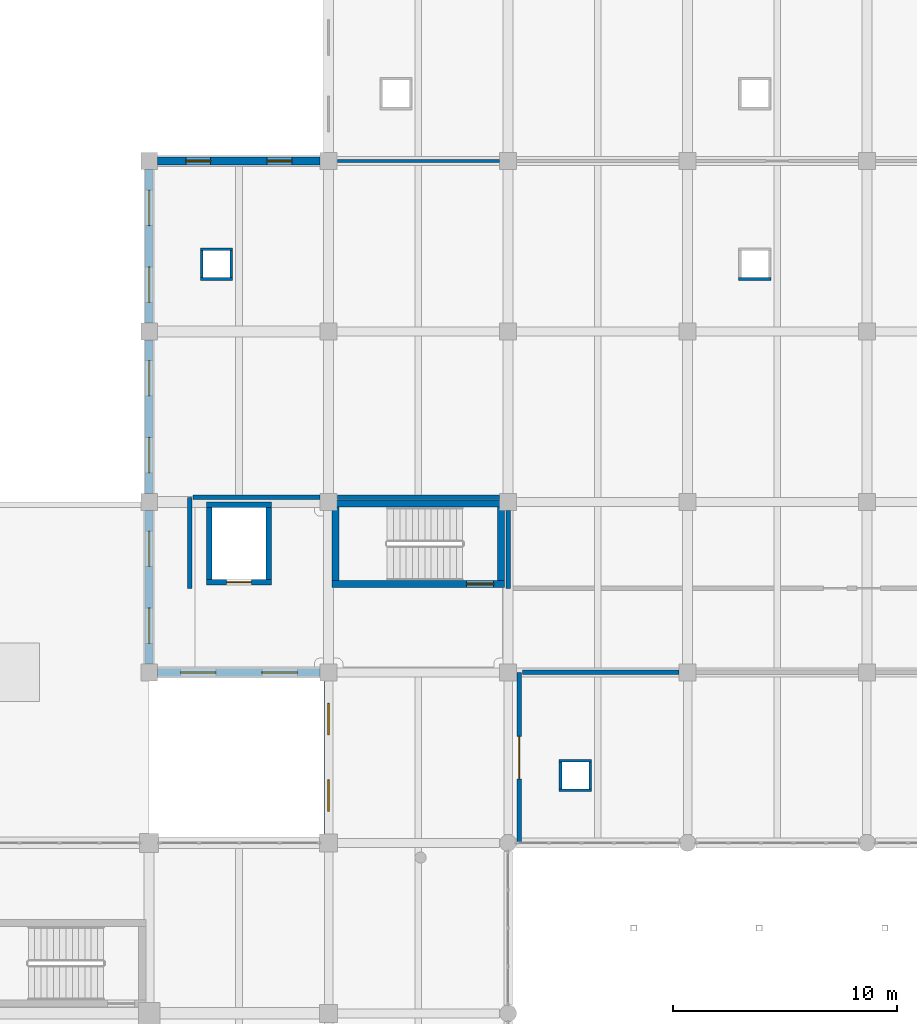
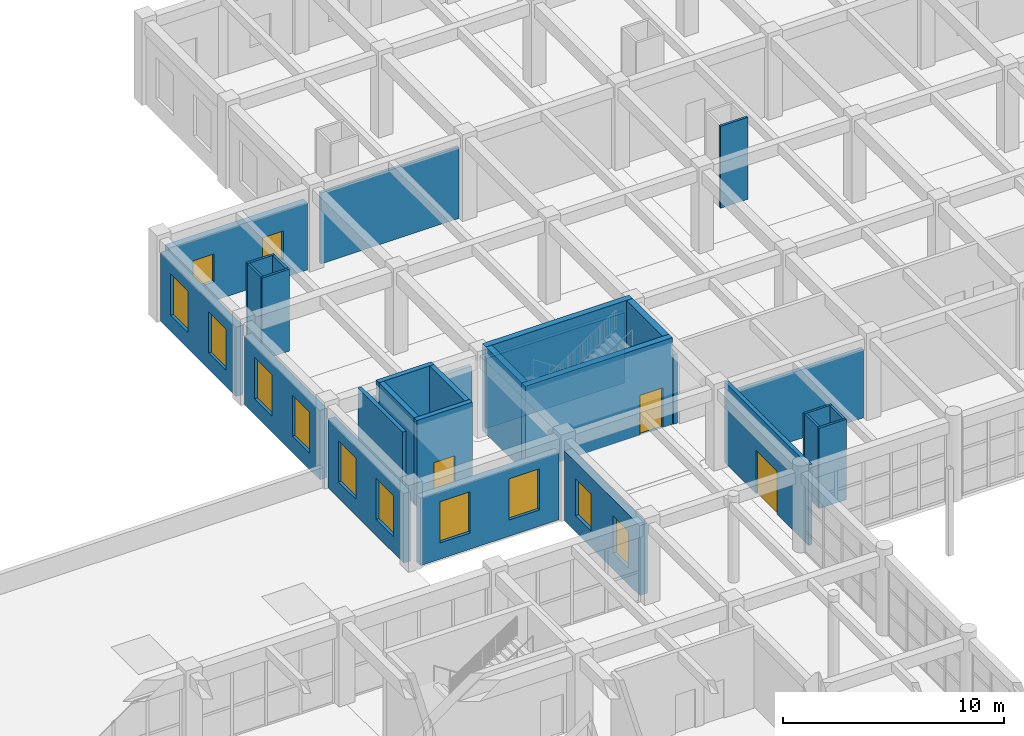
# One storey, part 79 of 101: 30 walls, 12 windows, 3 doors, 15 openings.
"""IFC4 building model written with IfcOpenShell, lengths in metres."""

from ifc_helpers import new_model, si_unit, direction, frame, frame_2d, origin, place, context, subcontext, project, spatial, rectangle, extrude, material, layer, layer_set, type_object, element, fill, save


model = new_model("IFC4")

# Units and contexts
model_context = context("Model", 3, precision=1e-05, world=origin(), true_north=direction((0.0, 1.0)))
body_context = subcontext(model_context, "Body", "Model", "MODEL_VIEW")
ifc_project = project(units=[si_unit("LENGTHUNIT", "METRE"), si_unit("AREAUNIT", "SQUARE_METRE"), si_unit("VOLUMEUNIT", "CUBIC_METRE"), si_unit("PLANEANGLEUNIT", "RADIAN"), si_unit("MASSUNIT", "GRAM", prefix="KILO")], contexts=[model_context])

# Site, building, storey
site_placement = place(None, origin())
site = spatial("IfcSite", under=ifc_project, at=site_placement, CompositionType="ELEMENT")
building_placement = place(site_placement, origin())
building = spatial("IfcBuilding", under=site, at=building_placement, Name="Zantavel Square City Hall", CompositionType="ELEMENT")
storey_placement = place(building_placement, frame((0.0, 0.0, 5.39990234375)))
storey = spatial("IfcBuildingStorey", under=building, at=storey_placement, Name="L02", CompositionType="ELEMENT", Elevation=5.39990234375)

# Wall, openings, windows
ifc_material_1 = material(Name="Cantera volcanic tuff stone", Category="masonry")
ifc_layer_1 = layer(ifc_material_1, 0.39990234375, Name="Cantera volcanic tuff stone")
ifc_layer_set_1 = layer_set([ifc_layer_1], Name="Cantera volcanic tuff stone")
wall_type_1 = type_object("IfcWallType", Name="Civic Pavilion Cantera Ashlar Wall 400mm", PredefinedType="STANDARD", material=ifc_layer_set_1)
wall_1_placement = place(storey_placement, frame((112.0, 68.800048828125, 0.0), z_axis=(0.0, 0.0, 1.0), x_axis=(0.0, 1.0, 0.0)))
wall_1 = element("IfcWall", 1, at=wall_1_placement, inside=storey, type_object=wall_type_1, Name="L02 Exterior Wall EW-L02-030", PredefinedType="STANDARD", context=body_context, shape_type="SweptSolid", body=[
    extrude(rectangle(XDim=6.824951171875, YDim=0.39990234375, at=frame_2d((3.41259765625, 0.0))), origin(), (0.0, 0.0, 1.0), 3.8701171875),
])
opening_1_placement = place(wall_1_placement, frame((1.00634765625, 0.0, 0.89990234375)))
opening_1 = element("IfcOpeningElement", 2, at=opening_1_placement, cuts=wall_1, Name="Opening W-187", PredefinedType="OPENING", context=body_context, shape_type="SweptSolid", body=[
    extrude(rectangle(XDim=1.39990234375, YDim=2.050048828125, at=frame_2d((0.699951171875, 1.02490234375))), frame((0.0, 0.2099609375, 0.0), z_axis=(0.0, -1.0, 0.0), x_axis=(1.0, 0.0, 0.0)), (0.0, 0.0, 1.0), 0.419921875),
])
opening_2_placement = place(wall_1_placement, frame((4.418701171875, 0.0, 0.89990234375)))
opening_2 = element("IfcOpeningElement", 3, at=opening_2_placement, cuts=wall_1, Name="Opening W-188", PredefinedType="OPENING", context=body_context, shape_type="SweptSolid", body=[
    extrude(rectangle(XDim=1.39990234375, YDim=2.050048828125, at=frame_2d((0.699951171875, 1.02490234375))), frame((0.0, 0.2099609375, 0.0), z_axis=(0.0, -1.0, 0.0), x_axis=(1.0, 0.0, 0.0)), (0.0, 0.0, 1.0), 0.419921875),
])
ifc_material_2 = material(Name="Tempered safety glass low-E double glazing", Category="glass")
window_type_1 = type_object("IfcWindowType", Name="Window Mezzanine Courtyard 1400x2050", PartitioningType="DOUBLE_PANEL_VERTICAL", PredefinedType="WINDOW", material=ifc_material_2)
window_1_placement = place(opening_1_placement, origin())
window_1 = element("IfcWindow", 4, at=window_1_placement, inside=storey, type_object=window_type_1, Name="L02 Window W-187", OverallHeight=2.050048828125, OverallWidth=1.39990234375, PartitioningType="DOUBLE_PANEL_VERTICAL", PredefinedType="WINDOW", context=body_context, shape_type="SweptSolid", body=[
    extrude(rectangle(XDim=1.39990234375, YDim=2.050048828125, at=frame_2d((0.699951171875, 1.02490234375))), frame((0.0, 0.030029296875, 0.0), z_axis=(0.0, -1.0, 0.0), x_axis=(1.0, 0.0, 0.0)), (0.0, 0.0, 1.0), 0.06005859375),
])
fill(opening_1, window_1)
window_2_placement = place(opening_2_placement, origin())
window_2 = element("IfcWindow", 5, at=window_2_placement, inside=storey, type_object=window_type_1, Name="L02 Window W-188", OverallHeight=2.050048828125, OverallWidth=1.39990234375, PartitioningType="DOUBLE_PANEL_VERTICAL", PredefinedType="WINDOW", context=body_context, shape_type="SweptSolid", body=[
    extrude(rectangle(XDim=1.39990234375, YDim=2.050048828125, at=frame_2d((0.699951171875, 1.02490234375))), frame((0.0, 0.030029296875, 0.0), z_axis=(0.0, -1.0, 0.0), x_axis=(1.0, 0.0, 0.0)), (0.0, 0.0, 1.0), 0.06005859375),
])
fill(opening_2, window_2)

# Wall, opening, door
ifc_material_3 = material(Name="Concrete C40/50", Category="concrete")
ifc_layer_2 = layer(ifc_material_3, 0.320068359375, Name="Concrete C40/50")
ifc_layer_set_2 = layer_set([ifc_layer_2], Name="Concrete C40/50")
wall_type_2 = type_object("IfcWallType", Name="Core Shear Wall RC 320mm C40/50", PredefinedType="SHEAR", material=ifc_layer_set_2)
wall_2_placement = place(storey_placement, frame((119.85009765625, 79.93994140625, 0.0), z_axis=(0.0, 0.0, 1.0), x_axis=(-1.0, 0.0, 0.0)))
wall_2 = element("IfcWall", 6, at=wall_2_placement, inside=storey, type_object=wall_type_2, Name="L02 Exit Stair 2 North-East Core Shear Wall South", PredefinedType="SHEAR", context=body_context, shape_type="SweptSolid", body=[
    extrude(rectangle(XDim=7.7001953125, YDim=0.320068359375, at=frame_2d((3.85009765625, 0.0))), origin(), (0.0, 0.0, 1.0), 4.800048828125),
])
opening_3_placement = place(wall_2_placement, frame((0.5, 0.0, 0.0)))
opening_3 = element("IfcOpeningElement", 7, at=opening_3_placement, cuts=wall_2, Name="Opening SD-009", PredefinedType="OPENING", context=body_context, shape_type="SweptSolid", body=[
    extrude(rectangle(XDim=1.199951171875, YDim=2.199951171875, at=frame_2d((0.60009765625, 1.10009765625))), frame((0.0, 0.169921875, 0.0), z_axis=(0.0, -1.0, 0.0), x_axis=(1.0, 0.0, 0.0)), (0.0, 0.0, 1.0), 0.340087890625),
])
ifc_material_4 = material(Name="Steel ASTM A500 Grade B", Category="steel")
door_type_1 = type_object("IfcDoorType", Name="Enclosed Exit Stairwell Fire Door 1200x2200 FD90S", OperationType="NOTDEFINED", PredefinedType="DOOR", material=ifc_material_4)
door_1_placement = place(opening_3_placement, origin())
door_1 = element("IfcDoor", 8, at=door_1_placement, inside=storey, type_object=door_type_1, Name="L02 Exit Stair 2 North-East Core Fire Door", OperationType="SINGLE_SWING_LEFT", OverallHeight=2.199951171875, OverallWidth=1.199951171875, PredefinedType="DOOR", context=body_context, shape_type="SweptSolid", body=[
    extrude(rectangle(XDim=1.199951171875, YDim=2.199951171875, at=frame_2d((0.60009765625, 1.10009765625))), frame((0.0, 0.02490234375, 0.0), z_axis=(0.0, -1.0, 0.0), x_axis=(1.0, 0.0, 0.0)), (0.0, 0.0, 1.0), 0.050048828125),
])
fill(opening_3, door_1)

# Walls
wall_3_placement = place(storey_placement, frame((112.31005859375, 80.10009765625, 0.0), z_axis=(0.0, 0.0, 1.0), x_axis=(0.0, 1.0, 0.0)))
element("IfcWall", 9, at=wall_3_placement, inside=storey, type_object=wall_type_2, Name="L02 Exit Stair 2 North-East Core Shear Wall West", PredefinedType="SHEAR", context=body_context, shape_type="SweptSolid", body=[
    extrude(rectangle(XDim=3.27001953125, YDim=0.320068359375, at=frame_2d((1.635009765625, 0.0))), origin(), (0.0, 0.0, 1.0), 4.800048828125),
])
wall_4_placement = place(storey_placement, frame((112.14990234375, 83.530029296875, 0.0), z_axis=(0.0, 0.0, 1.0), x_axis=(1.0, 0.0, 0.0)))
element("IfcWall", 10, at=wall_4_placement, inside=storey, type_object=wall_type_2, Name="L02 Exit Stair 2 North-East Core Shear Wall North", PredefinedType="SHEAR", context=body_context, shape_type="SweptSolid", body=[
    extrude(rectangle(XDim=7.7001953125, YDim=0.320068359375, at=frame_2d((3.85009765625, 0.0))), origin(), (0.0, 0.0, 1.0), 4.800048828125),
])
wall_5_placement = place(storey_placement, frame((119.68994140625, 83.3701171875, 0.0), z_axis=(0.0, 0.0, 1.0), x_axis=(0.0, -1.0, 0.0)))
element("IfcWall", 11, at=wall_5_placement, inside=storey, type_object=wall_type_2, Name="L02 Exit Stair 2 North-East Core Shear Wall East", PredefinedType="SHEAR", context=body_context, shape_type="SweptSolid", body=[
    extrude(rectangle(XDim=3.27001953125, YDim=0.320068359375, at=frame_2d((1.635009765625, 0.0))), origin(), (0.0, 0.0, 1.0), 4.800048828125),
])

# Wall, openings, windows
ifc_layer_3 = layer(ifc_material_1, 0.360107421875, Name="Cantera volcanic tuff stone")
ifc_layer_set_3 = layer_set([ifc_layer_3], Name="Cantera volcanic tuff stone")
wall_type_3 = type_object("IfcWallType", Name="Courtyard Cantera Facade Wall 360mm", PredefinedType="STANDARD", material=ifc_layer_set_3)
wall_6_placement = place(storey_placement, frame((111.625, 76.0, 0.0), z_axis=(0.0, 0.0, 1.0), x_axis=(-1.0, 0.0, 0.0)))
wall_6 = element("IfcWall", 12, at=wall_6_placement, inside=storey, type_object=wall_type_3, Name="L02 Exterior Wall EW-L02-031", PredefinedType="STANDARD", context=body_context, shape_type="SweptSolid", body=[
    extrude(rectangle(XDim=7.25, YDim=0.360107421875, at=frame_2d((3.625, 0.0))), origin(), (0.0, 0.0, 1.0), 3.739990234375),
])
opening_4_placement = place(wall_6_placement, frame((1.0224609375, 0.0, 0.89990234375)))
opening_4 = element("IfcOpeningElement", 13, at=opening_4_placement, cuts=wall_6, Name="Opening W-189", PredefinedType="OPENING", context=body_context, shape_type="SweptSolid", body=[
    extrude(rectangle(XDim=1.580078125, YDim=2.280029296875, at=frame_2d((0.7900390625, 1.14013671875))), frame((0.0, 0.18994140625, 0.0), z_axis=(0.0, -1.0, 0.0), x_axis=(1.0, 0.0, 0.0)), (0.0, 0.0, 1.0), 0.380126953125),
])
opening_5_placement = place(wall_6_placement, frame((4.6474609375, 0.0, 0.89990234375)))
opening_5 = element("IfcOpeningElement", 14, at=opening_5_placement, cuts=wall_6, Name="Opening W-190", PredefinedType="OPENING", context=body_context, shape_type="SweptSolid", body=[
    extrude(rectangle(XDim=1.580078125, YDim=2.280029296875, at=frame_2d((0.7900390625, 1.14013671875))), frame((0.0, 0.18994140625, 0.0), z_axis=(0.0, -1.0, 0.0), x_axis=(1.0, 0.0, 0.0)), (0.0, 0.0, 1.0), 0.380126953125),
])
window_type_2 = type_object("IfcWindowType", Name="Window Treasury Tall 1580x2280", PartitioningType="DOUBLE_PANEL_VERTICAL", PredefinedType="WINDOW", material=ifc_material_2)
window_3_placement = place(opening_4_placement, origin())
window_3 = element("IfcWindow", 15, at=window_3_placement, inside=storey, type_object=window_type_2, Name="L02 Window W-189", OverallHeight=2.280029296875, OverallWidth=1.580078125, PartitioningType="DOUBLE_PANEL_VERTICAL", PredefinedType="WINDOW", context=body_context, shape_type="SweptSolid", body=[
    extrude(rectangle(XDim=1.580078125, YDim=2.280029296875, at=frame_2d((0.7900390625, 1.14013671875))), frame((0.0, 0.030029296875, 0.0), z_axis=(0.0, -1.0, 0.0), x_axis=(1.0, 0.0, 0.0)), (0.0, 0.0, 1.0), 0.06005859375),
])
fill(opening_4, window_3)
window_4_placement = place(opening_5_placement, origin())
window_4 = element("IfcWindow", 16, at=window_4_placement, inside=storey, type_object=window_type_2, Name="L02 Window W-190", OverallHeight=2.280029296875, OverallWidth=1.580078125, PartitioningType="DOUBLE_PANEL_VERTICAL", PredefinedType="WINDOW", context=body_context, shape_type="SweptSolid", body=[
    extrude(rectangle(XDim=1.580078125, YDim=2.280029296875, at=frame_2d((0.7900390625, 1.14013671875))), frame((0.0, 0.030029296875, 0.0), z_axis=(0.0, -1.0, 0.0), x_axis=(1.0, 0.0, 0.0)), (0.0, 0.0, 1.0), 0.06005859375),
])
fill(opening_5, window_4)

wall_7_placement = place(storey_placement, frame((104.0, 76.375, 0.0), z_axis=(0.0, 0.0, 1.0), x_axis=(0.0, 1.0, 0.0)))
wall_7 = element("IfcWall", 17, at=wall_7_placement, inside=storey, type_object=wall_type_3, Name="L02 Exterior Wall EW-L02-032", PredefinedType="STANDARD", context=body_context, shape_type="SweptSolid", body=[
    extrude(rectangle(XDim=6.85009765625, YDim=0.360107421875, at=frame_2d((3.425048828125, 0.0))), origin(), (0.0, 0.0, 1.0), 3.840087890625),
])
opening_6_placement = place(wall_7_placement, frame((0.922607421875, 0.0, 0.89990234375)))
opening_6 = element("IfcOpeningElement", 18, at=opening_6_placement, cuts=wall_7, Name="Opening W-191", PredefinedType="OPENING", context=body_context, shape_type="SweptSolid", body=[
    extrude(rectangle(XDim=1.580078125, YDim=2.280029296875, at=frame_2d((0.7900390625, 1.14013671875))), frame((0.0, 0.18994140625, 0.0), z_axis=(0.0, -1.0, 0.0), x_axis=(1.0, 0.0, 0.0)), (0.0, 0.0, 1.0), 0.380126953125),
])
opening_7_placement = place(wall_7_placement, frame((4.347412109375, 0.0, 0.89990234375)))
opening_7 = element("IfcOpeningElement", 19, at=opening_7_placement, cuts=wall_7, Name="Opening W-192", PredefinedType="OPENING", context=body_context, shape_type="SweptSolid", body=[
    extrude(rectangle(XDim=1.580078125, YDim=2.280029296875, at=frame_2d((0.7900390625, 1.14013671875))), frame((0.0, 0.18994140625, 0.0), z_axis=(0.0, -1.0, 0.0), x_axis=(1.0, 0.0, 0.0)), (0.0, 0.0, 1.0), 0.380126953125),
])
window_5_placement = place(opening_6_placement, origin())
window_5 = element("IfcWindow", 20, at=window_5_placement, inside=storey, type_object=window_type_2, Name="L02 Window W-191", OverallHeight=2.280029296875, OverallWidth=1.580078125, PartitioningType="DOUBLE_PANEL_VERTICAL", PredefinedType="WINDOW", context=body_context, shape_type="SweptSolid", body=[
    extrude(rectangle(XDim=1.580078125, YDim=2.280029296875, at=frame_2d((0.7900390625, 1.14013671875))), frame((0.0, 0.030029296875, 0.0), z_axis=(0.0, -1.0, 0.0), x_axis=(1.0, 0.0, 0.0)), (0.0, 0.0, 1.0), 0.06005859375),
])
fill(opening_6, window_5)
window_6_placement = place(opening_7_placement, origin())
window_6 = element("IfcWindow", 21, at=window_6_placement, inside=storey, type_object=window_type_2, Name="L02 Window W-192", OverallHeight=2.280029296875, OverallWidth=1.580078125, PartitioningType="DOUBLE_PANEL_VERTICAL", PredefinedType="WINDOW", context=body_context, shape_type="SweptSolid", body=[
    extrude(rectangle(XDim=1.580078125, YDim=2.280029296875, at=frame_2d((0.7900390625, 1.14013671875))), frame((0.0, 0.030029296875, 0.0), z_axis=(0.0, -1.0, 0.0), x_axis=(1.0, 0.0, 0.0)), (0.0, 0.0, 1.0), 0.06005859375),
])
fill(opening_7, window_6)

wall_8_placement = place(storey_placement, frame((104.0, 83.97509765625, 0.0), z_axis=(0.0, 0.0, 1.0), x_axis=(0.0, 1.0, 0.0)))
wall_8 = element("IfcWall", 22, at=wall_8_placement, inside=storey, type_object=wall_type_3, Name="L02 Exterior Wall EW-L02-033", PredefinedType="STANDARD", context=body_context, shape_type="SweptSolid", body=[
    extrude(rectangle(XDim=6.849853515625, YDim=0.360107421875, at=frame_2d((3.4248046875, 0.0))), origin(), (0.0, 0.0, 1.0), 3.840087890625),
])
opening_8_placement = place(wall_8_placement, frame((0.922607421875, 0.0, 0.89990234375)))
opening_8 = element("IfcOpeningElement", 23, at=opening_8_placement, cuts=wall_8, Name="Opening W-193", PredefinedType="OPENING", context=body_context, shape_type="SweptSolid", body=[
    extrude(rectangle(XDim=1.580078125, YDim=2.280029296875, at=frame_2d((0.7900390625, 1.14013671875))), frame((0.0, 0.18994140625, 0.0), z_axis=(0.0, -1.0, 0.0), x_axis=(1.0, 0.0, 0.0)), (0.0, 0.0, 1.0), 0.380126953125),
])
opening_9_placement = place(wall_8_placement, frame((4.347412109375, 0.0, 0.89990234375)))
opening_9 = element("IfcOpeningElement", 24, at=opening_9_placement, cuts=wall_8, Name="Opening W-194", PredefinedType="OPENING", context=body_context, shape_type="SweptSolid", body=[
    extrude(rectangle(XDim=1.580078125, YDim=2.280029296875, at=frame_2d((0.7900390625, 1.14013671875))), frame((0.0, 0.18994140625, 0.0), z_axis=(0.0, -1.0, 0.0), x_axis=(1.0, 0.0, 0.0)), (0.0, 0.0, 1.0), 0.380126953125),
])
window_7_placement = place(opening_8_placement, origin())
window_7 = element("IfcWindow", 25, at=window_7_placement, inside=storey, type_object=window_type_2, Name="L02 Window W-193", OverallHeight=2.280029296875, OverallWidth=1.580078125, PartitioningType="DOUBLE_PANEL_VERTICAL", PredefinedType="WINDOW", context=body_context, shape_type="SweptSolid", body=[
    extrude(rectangle(XDim=1.580078125, YDim=2.280029296875, at=frame_2d((0.7900390625, 1.14013671875))), frame((0.0, 0.030029296875, 0.0), z_axis=(0.0, -1.0, 0.0), x_axis=(1.0, 0.0, 0.0)), (0.0, 0.0, 1.0), 0.06005859375),
])
fill(opening_8, window_7)
window_8_placement = place(opening_9_placement, origin())
window_8 = element("IfcWindow", 26, at=window_8_placement, inside=storey, type_object=window_type_2, Name="L02 Window W-194", OverallHeight=2.280029296875, OverallWidth=1.580078125, PartitioningType="DOUBLE_PANEL_VERTICAL", PredefinedType="WINDOW", context=body_context, shape_type="SweptSolid", body=[
    extrude(rectangle(XDim=1.580078125, YDim=2.280029296875, at=frame_2d((0.7900390625, 1.14013671875))), frame((0.0, 0.030029296875, 0.0), z_axis=(0.0, -1.0, 0.0), x_axis=(1.0, 0.0, 0.0)), (0.0, 0.0, 1.0), 0.06005859375),
])
fill(opening_9, window_8)

wall_9_placement = place(storey_placement, frame((104.0, 91.574951171875, 0.0), z_axis=(0.0, 0.0, 1.0), x_axis=(0.0, 1.0, 0.0)))
wall_9 = element("IfcWall", 27, at=wall_9_placement, inside=storey, type_object=wall_type_3, Name="L02 Exterior Wall EW-L02-034", PredefinedType="STANDARD", context=body_context, shape_type="SweptSolid", body=[
    extrude(rectangle(XDim=6.85009765625, YDim=0.360107421875, at=frame_2d((3.425048828125, 0.0))), origin(), (0.0, 0.0, 1.0), 3.840087890625),
])
opening_10_placement = place(wall_9_placement, frame((0.922607421875, 0.0, 0.89990234375)))
opening_10 = element("IfcOpeningElement", 28, at=opening_10_placement, cuts=wall_9, Name="Opening W-195", PredefinedType="OPENING", context=body_context, shape_type="SweptSolid", body=[
    extrude(rectangle(XDim=1.580078125, YDim=2.280029296875, at=frame_2d((0.7900390625, 1.14013671875))), frame((0.0, 0.18994140625, 0.0), z_axis=(0.0, -1.0, 0.0), x_axis=(1.0, 0.0, 0.0)), (0.0, 0.0, 1.0), 0.380126953125),
])
opening_11_placement = place(wall_9_placement, frame((4.347412109375, 0.0, 0.89990234375)))
opening_11 = element("IfcOpeningElement", 29, at=opening_11_placement, cuts=wall_9, Name="Opening W-196", PredefinedType="OPENING", context=body_context, shape_type="SweptSolid", body=[
    extrude(rectangle(XDim=1.580078125, YDim=2.280029296875, at=frame_2d((0.7900390625, 1.14013671875))), frame((0.0, 0.18994140625, 0.0), z_axis=(0.0, -1.0, 0.0), x_axis=(1.0, 0.0, 0.0)), (0.0, 0.0, 1.0), 0.380126953125),
])
window_9_placement = place(opening_10_placement, origin())
window_9 = element("IfcWindow", 30, at=window_9_placement, inside=storey, type_object=window_type_2, Name="L02 Window W-195", OverallHeight=2.280029296875, OverallWidth=1.580078125, PartitioningType="DOUBLE_PANEL_VERTICAL", PredefinedType="WINDOW", context=body_context, shape_type="SweptSolid", body=[
    extrude(rectangle(XDim=1.580078125, YDim=2.280029296875, at=frame_2d((0.7900390625, 1.14013671875))), frame((0.0, 0.030029296875, 0.0), z_axis=(0.0, -1.0, 0.0), x_axis=(1.0, 0.0, 0.0)), (0.0, 0.0, 1.0), 0.06005859375),
])
fill(opening_10, window_9)
window_10_placement = place(opening_11_placement, origin())
window_10 = element("IfcWindow", 31, at=window_10_placement, inside=storey, type_object=window_type_2, Name="L02 Window W-196", OverallHeight=2.280029296875, OverallWidth=1.580078125, PartitioningType="DOUBLE_PANEL_VERTICAL", PredefinedType="WINDOW", context=body_context, shape_type="SweptSolid", body=[
    extrude(rectangle(XDim=1.580078125, YDim=2.280029296875, at=frame_2d((0.7900390625, 1.14013671875))), frame((0.0, 0.030029296875, 0.0), z_axis=(0.0, -1.0, 0.0), x_axis=(1.0, 0.0, 0.0)), (0.0, 0.0, 1.0), 0.06005859375),
])
fill(opening_11, window_10)

# Walls
ifc_material_5 = material(Name="Gypsum acoustic stud assembly", Category="masonry")
ifc_layer_4 = layer(ifc_material_5, 0.14990234375, Name="Gypsum acoustic stud assembly")
ifc_layer_set_4 = layer_set([ifc_layer_4], Name="Gypsum acoustic stud assembly")
wall_type_4 = type_object("IfcWallType", Name="Department Office Partition 150mm", PredefinedType="PARTITIONING", material=ifc_layer_set_4)
wall_10_placement = place(storey_placement, frame((112.385009765625, 98.800048828125, 0.0), z_axis=(0.0, 0.0, 1.0), x_axis=(1.0, 0.0, 0.0)))
element("IfcWall", 32, at=wall_10_placement, inside=storey, type_object=wall_type_4, Name="L02 Interior Wall IW-L02-0212", PredefinedType="PARTITIONING", context=body_context, shape_type="SweptSolid", body=[
    extrude(rectangle(XDim=7.22998046875, YDim=0.14990234375, at=frame_2d((3.614990234375, 0.0))), origin(), (0.0, 0.0, 1.0), 3.940185546875),
])
ifc_layer_5 = layer(ifc_material_1, 0.199951171875, Name="Cantera volcanic tuff stone")
ifc_layer_set_5 = layer_set([ifc_layer_5], Name="Cantera volcanic tuff stone")
wall_type_5 = type_object("IfcWallType", Name="Exit Corridor Rated Wall 200mm", PredefinedType="STANDARD", material=ifc_layer_set_5)
wall_11_placement = place(storey_placement, frame((105.800048828125, 79.75, 0.0), z_axis=(0.0, 0.0, 1.0), x_axis=(0.0, 1.0, 0.0)))
element("IfcWall", 33, at=wall_11_placement, inside=storey, type_object=wall_type_5, Name="L02 Interior Wall IW-L02-0160", PredefinedType="STANDARD", context=body_context, shape_type="SweptSolid", body=[
    extrude(rectangle(XDim=4.050048828125, YDim=0.199951171875, at=frame_2d((2.02490234375, 0.0))), origin(), (0.0, 0.0, 1.0), 4.5400390625),
])
wall_12_placement = place(storey_placement, frame((105.949951171875, 83.800048828125, 0.0), z_axis=(0.0, 0.0, 1.0), x_axis=(1.0, 0.0, 0.0)))
element("IfcWall", 34, at=wall_12_placement, inside=storey, type_object=wall_type_5, Name="L02 Interior Wall IW-L02-0161", PredefinedType="STANDARD", context=body_context, shape_type="SweptSolid", body=[
    extrude(rectangle(XDim=5.6650390625, YDim=0.199951171875, at=frame_2d((2.83251953125, 0.0))), origin(), (0.0, 0.0, 1.0), 3.739990234375),
])
wall_13_placement = place(storey_placement, frame((112.385009765625, 83.800048828125, 0.0), z_axis=(0.0, 0.0, 1.0), x_axis=(1.0, 0.0, 0.0)))
element("IfcWall", 35, at=wall_13_placement, inside=storey, type_object=wall_type_5, Name="L02 Interior Wall IW-L02-0162", PredefinedType="STANDARD", context=body_context, shape_type="SweptSolid", body=[
    extrude(rectangle(XDim=7.22998046875, YDim=0.199951171875, at=frame_2d((3.614990234375, 0.0))), origin(), (0.0, 0.0, 1.0), 3.89013671875),
])
wall_14_placement = place(storey_placement, frame((120.0, 83.215087890625, 0.0), z_axis=(0.0, 0.0, 1.0), x_axis=(0.0, -1.0, 0.0)))
element("IfcWall", 36, at=wall_14_placement, inside=storey, type_object=wall_type_5, Name="L02 Interior Wall IW-L02-0163", PredefinedType="STANDARD", context=body_context, shape_type="SweptSolid", body=[
    extrude(rectangle(XDim=3.465087890625, YDim=0.199951171875, at=frame_2d((1.732421875, 0.0))), origin(), (0.0, 0.0, 1.0), 3.840087890625),
])

# Wall, opening, door
wall_15_placement = place(storey_placement, frame((120.5, 68.39990234375, 0.0), z_axis=(0.0, 0.0, 1.0), x_axis=(0.0, 1.0, 0.0)))
wall_15 = element("IfcWall", 37, at=wall_15_placement, inside=storey, type_object=wall_type_5, Name="L02 Interior Wall IW-L02-0224", PredefinedType="STANDARD", context=body_context, shape_type="SweptSolid", body=[
    extrude(rectangle(XDim=7.60009765625, YDim=0.199951171875, at=frame_2d((3.800048828125, 0.0))), origin(), (0.0, 0.0, 1.0), 4.4501953125),
])
opening_12_placement = place(wall_15_placement, frame((2.85009765625, 0.0, 0.0)))
opening_12 = element("IfcOpeningElement", 38, at=opening_12_placement, cuts=wall_15, Name="Opening D-0097", PredefinedType="OPENING", context=body_context, shape_type="SweptSolid", body=[
    extrude(rectangle(XDim=1.89990234375, YDim=2.39990234375, at=frame_2d((0.949951171875, 1.199951171875))), frame((0.0, 0.10986328125, 0.0), z_axis=(0.0, -1.0, 0.0), x_axis=(1.0, 0.0, 0.0)), (0.0, 0.0, 1.0), 0.219970703125),
])
ifc_material_6 = material(Name="Solid oak hardwood", Category="wood")
door_type_2 = type_object("IfcDoorType", Name="Civic Hall Oak Fire Double Door 1900x2400 FD60S", OperationType="NOTDEFINED", PredefinedType="DOOR", material=ifc_material_6)
door_2_placement = place(opening_12_placement, origin())
door_2 = element("IfcDoor", 39, at=door_2_placement, inside=storey, type_object=door_type_2, Name="L02 Civil Marriage Hall Door", OperationType="DOUBLE_DOOR_SINGLE_SWING", OverallHeight=2.39990234375, OverallWidth=1.89990234375, PredefinedType="DOOR", context=body_context, shape_type="SweptSolid", body=[
    extrude(rectangle(XDim=1.89990234375, YDim=2.39990234375, at=frame_2d((0.949951171875, 1.199951171875))), frame((0.0, 0.02490234375, 0.0), z_axis=(0.0, -1.0, 0.0), x_axis=(1.0, 0.0, 0.0)), (0.0, 0.0, 1.0), 0.050048828125),
])
fill(opening_12, door_2)

# Wall
wall_16_placement = place(storey_placement, frame((120.64990234375, 76.0, 0.0), z_axis=(0.0, 0.0, 1.0), x_axis=(1.0, 0.0, 0.0)))
element("IfcWall", 40, at=wall_16_placement, inside=storey, type_object=wall_type_5, Name="L02 Interior Wall IW-L02-0225", PredefinedType="STANDARD", context=body_context, shape_type="SweptSolid", body=[
    extrude(rectangle(XDim=6.965087890625, YDim=0.199951171875, at=frame_2d((3.482421875, 0.0))), origin(), (0.0, 0.0, 1.0), 3.800048828125),
])

# Wall, opening, door
ifc_layer_6 = layer(ifc_material_3, 0.25, Name="Concrete C40/50")
ifc_layer_set_6 = layer_set([ifc_layer_6], Name="Concrete C40/50")
wall_type_6 = type_object("IfcWallType", Name="Lift Shaft Wall RC 250mm C40/50", PredefinedType="SHEAR", material=ifc_layer_set_6)
wall_17_placement = place(storey_placement, frame((109.449951171875, 80.02490234375, 0.0), z_axis=(0.0, 0.0, 1.0), x_axis=(-1.0, 0.0, 0.0)))
wall_17 = element("IfcWall", 41, at=wall_17_placement, inside=storey, type_object=wall_type_6, Name="L02 Lift LF06 Shaft Wall South", PredefinedType="SHEAR", context=body_context, shape_type="SweptSolid", body=[
    extrude(rectangle(XDim=2.89990234375, YDim=0.25, at=frame_2d((1.449951171875, 0.0))), origin(), (0.0, 0.0, 1.0), 4.800048828125),
])
opening_13_placement = place(wall_17_placement, frame((0.89990234375, 0.0, 0.0)))
opening_13 = element("IfcOpeningElement", 42, at=opening_13_placement, cuts=wall_17, Name="Opening LD-LF06-L02", PredefinedType="OPENING", context=body_context, shape_type="SweptSolid", body=[
    extrude(rectangle(XDim=1.10009765625, YDim=2.14990234375, at=frame_2d((0.550048828125, 1.074951171875))), frame((0.0, 0.135009765625, 0.0), z_axis=(0.0, -1.0, 0.0), x_axis=(1.0, 0.0, 0.0)), (0.0, 0.0, 1.0), 0.27001953125),
])
ifc_material_7 = material(Name="Stainless steel 316", Category="steel")
door_type_3 = type_object("IfcDoorType", Name="Lift Landing Sliding Door 1100x2150 FD90S", OperationType="NOTDEFINED", PredefinedType="DOOR", material=ifc_material_7)
door_3_placement = place(opening_13_placement, origin())
door_3 = element("IfcDoor", 43, at=door_3_placement, inside=storey, type_object=door_type_3, Name="L02 Lift LF06 Sliding Landing Door", OperationType="DOUBLE_DOOR_SLIDING", OverallHeight=2.14990234375, OverallWidth=1.10009765625, PredefinedType="DOOR", context=body_context, shape_type="SweptSolid", body=[
    extrude(rectangle(XDim=1.10009765625, YDim=2.14990234375, at=frame_2d((0.550048828125, 1.074951171875))), frame((0.0, 0.02490234375, 0.0), z_axis=(0.0, -1.0, 0.0), x_axis=(1.0, 0.0, 0.0)), (0.0, 0.0, 1.0), 0.050048828125),
])
fill(opening_13, door_3)

# Walls
wall_18_placement = place(storey_placement, frame((106.675048828125, 80.14990234375, 0.0), z_axis=(0.0, 0.0, 1.0), x_axis=(0.0, 1.0, 0.0)))
element("IfcWall", 44, at=wall_18_placement, inside=storey, type_object=wall_type_6, Name="L02 Lift LF06 Shaft Wall West", PredefinedType="SHEAR", context=body_context, shape_type="SweptSolid", body=[
    extrude(rectangle(XDim=3.2001953125, YDim=0.25, at=frame_2d((1.60009765625, 0.0))), origin(), (0.0, 0.0, 1.0), 4.800048828125),
])
wall_19_placement = place(storey_placement, frame((106.550048828125, 83.47509765625, 0.0), z_axis=(0.0, 0.0, 1.0), x_axis=(1.0, 0.0, 0.0)))
element("IfcWall", 45, at=wall_19_placement, inside=storey, type_object=wall_type_6, Name="L02 Lift LF06 Shaft Wall North", PredefinedType="SHEAR", context=body_context, shape_type="SweptSolid", body=[
    extrude(rectangle(XDim=2.89990234375, YDim=0.25, at=frame_2d((1.449951171875, 0.0))), origin(), (0.0, 0.0, 1.0), 4.800048828125),
])
wall_20_placement = place(storey_placement, frame((109.324951171875, 83.35009765625, 0.0), z_axis=(0.0, 0.0, 1.0), x_axis=(0.0, -1.0, 0.0)))
element("IfcWall", 46, at=wall_20_placement, inside=storey, type_object=wall_type_6, Name="L02 Lift LF06 Shaft Wall East", PredefinedType="SHEAR", context=body_context, shape_type="SweptSolid", body=[
    extrude(rectangle(XDim=3.2001953125, YDim=0.25, at=frame_2d((1.60009765625, 0.0))), origin(), (0.0, 0.0, 1.0), 4.800048828125),
])

# Wall, openings, windows
ifc_layer_7 = layer(ifc_material_1, 0.340087890625, Name="Cantera volcanic tuff stone")
ifc_layer_set_7 = layer_set([ifc_layer_7], Name="Cantera volcanic tuff stone")
wall_type_7 = type_object("IfcWallType", Name="North Insulated Cantera Wall 340mm", PredefinedType="STANDARD", material=ifc_layer_set_7)
wall_21_placement = place(storey_placement, frame((104.375, 98.800048828125, 0.0), z_axis=(0.0, 0.0, 1.0), x_axis=(1.0, 0.0, 0.0)))
wall_21 = element("IfcWall", 47, at=wall_21_placement, inside=storey, type_object=wall_type_7, Name="L02 Exterior Wall EW-L02-035", PredefinedType="STANDARD", context=body_context, shape_type="SweptSolid", body=[
    extrude(rectangle(XDim=7.25, YDim=0.340087890625, at=frame_2d((3.625, 0.0))), origin(), (0.0, 0.0, 1.0), 3.739990234375),
])
opening_14_placement = place(wall_21_placement, frame((1.262451171875, 0.0, 1.050048828125)))
opening_14 = element("IfcOpeningElement", 48, at=opening_14_placement, cuts=wall_21, Name="Opening W-197", PredefinedType="OPENING", context=body_context, shape_type="SweptSolid", body=[
    extrude(rectangle(XDim=1.10009765625, YDim=1.550048828125, at=frame_2d((0.550048828125, 0.77490234375))), frame((0.0, 0.179931640625, 0.0), z_axis=(0.0, -1.0, 0.0), x_axis=(1.0, 0.0, 0.0)), (0.0, 0.0, 1.0), 0.360107421875),
])
opening_15_placement = place(wall_21_placement, frame((4.887451171875, 0.0, 1.050048828125)))
opening_15 = element("IfcOpeningElement", 49, at=opening_15_placement, cuts=wall_21, Name="Opening W-198", PredefinedType="OPENING", context=body_context, shape_type="SweptSolid", body=[
    extrude(rectangle(XDim=1.10009765625, YDim=1.550048828125, at=frame_2d((0.550048828125, 0.77490234375))), frame((0.0, 0.179931640625, 0.0), z_axis=(0.0, -1.0, 0.0), x_axis=(1.0, 0.0, 0.0)), (0.0, 0.0, 1.0), 0.360107421875),
])
window_type_3 = type_object("IfcWindowType", Name="Window Mezzanine North 1100x1550", PartitioningType="SINGLE_PANEL", PredefinedType="WINDOW", material=ifc_material_2)
window_11_placement = place(opening_14_placement, origin())
window_11 = element("IfcWindow", 50, at=window_11_placement, inside=storey, type_object=window_type_3, Name="L02 Window W-197", OverallHeight=1.550048828125, OverallWidth=1.10009765625, PartitioningType="SINGLE_PANEL", PredefinedType="WINDOW", context=body_context, shape_type="SweptSolid", body=[
    extrude(rectangle(XDim=1.10009765625, YDim=1.550048828125, at=frame_2d((0.550048828125, 0.77490234375))), frame((0.0, 0.030029296875, 0.0), z_axis=(0.0, -1.0, 0.0), x_axis=(1.0, 0.0, 0.0)), (0.0, 0.0, 1.0), 0.06005859375),
])
fill(opening_14, window_11)
window_12_placement = place(opening_15_placement, origin())
window_12 = element("IfcWindow", 51, at=window_12_placement, inside=storey, type_object=window_type_3, Name="L02 Window W-198", OverallHeight=1.550048828125, OverallWidth=1.10009765625, PartitioningType="SINGLE_PANEL", PredefinedType="WINDOW", context=body_context, shape_type="SweptSolid", body=[
    extrude(rectangle(XDim=1.10009765625, YDim=1.550048828125, at=frame_2d((0.550048828125, 0.77490234375))), frame((0.0, 0.030029296875, 0.0), z_axis=(0.0, -1.0, 0.0), x_axis=(1.0, 0.0, 0.0)), (0.0, 0.0, 1.0), 0.06005859375),
])
fill(opening_15, window_12)

# Walls
ifc_material_8 = material(Name="Concrete C35/45", Category="concrete")
ifc_layer_8 = layer(ifc_material_8, 0.1201171875, Name="Concrete C35/45")
ifc_layer_set_8 = layer_set([ifc_layer_8], Name="Concrete C35/45")
wall_type_8 = type_object("IfcWallType", Name="Riser Chase Wall RC 120mm C35/45", PredefinedType="PARTITIONING", material=ifc_layer_set_8)
wall_22_placement = place(storey_placement, frame((123.719970703125, 70.739990234375, 0.0), z_axis=(0.0, 0.0, 1.0), x_axis=(-1.0, 0.0, 0.0)))
element("IfcWall", 52, at=wall_22_placement, inside=storey, type_object=wall_type_8, Name="L02 MEP Riser 09 Wall S", PredefinedType="PARTITIONING", context=body_context, shape_type="SweptSolid", body=[
    extrude(rectangle(XDim=1.43994140625, YDim=0.1201171875, at=frame_2d((0.719970703125, 0.0))), origin(), (0.0, 0.0, 1.0), 4.4501953125),
])
wall_23_placement = place(storey_placement, frame((122.340087890625, 70.800048828125, 0.0), z_axis=(0.0, 0.0, 1.0), x_axis=(0.0, 1.0, 0.0)))
element("IfcWall", 53, at=wall_23_placement, inside=storey, type_object=wall_type_8, Name="L02 MEP Riser 09 Wall W", PredefinedType="PARTITIONING", context=body_context, shape_type="SweptSolid", body=[
    extrude(rectangle(XDim=1.199951171875, YDim=0.1201171875, at=frame_2d((0.60009765625, 0.0))), origin(), (0.0, 0.0, 1.0), 4.4501953125),
])
wall_24_placement = place(storey_placement, frame((122.280029296875, 72.06005859375, 0.0), z_axis=(0.0, 0.0, 1.0), x_axis=(1.0, 0.0, 0.0)))
element("IfcWall", 54, at=wall_24_placement, inside=storey, type_object=wall_type_8, Name="L02 MEP Riser 09 Wall N", PredefinedType="PARTITIONING", context=body_context, shape_type="SweptSolid", body=[
    extrude(rectangle(XDim=1.43994140625, YDim=0.1201171875, at=frame_2d((0.719970703125, 0.0))), origin(), (0.0, 0.0, 1.0), 4.4501953125),
])
wall_25_placement = place(storey_placement, frame((123.659912109375, 72.0, 0.0), z_axis=(0.0, 0.0, 1.0), x_axis=(0.0, -1.0, 0.0)))
element("IfcWall", 55, at=wall_25_placement, inside=storey, type_object=wall_type_8, Name="L02 MEP Riser 09 Wall E", PredefinedType="PARTITIONING", context=body_context, shape_type="SweptSolid", body=[
    extrude(rectangle(XDim=1.199951171875, YDim=0.1201171875, at=frame_2d((0.60009765625, 0.0))), origin(), (0.0, 0.0, 1.0), 4.4501953125),
])
wall_26_placement = place(storey_placement, frame((107.719970703125, 93.5400390625, 0.0), z_axis=(0.0, 0.0, 1.0), x_axis=(-1.0, 0.0, 0.0)))
element("IfcWall", 56, at=wall_26_placement, inside=storey, type_object=wall_type_8, Name="L02 MEP Riser 18 Wall S", PredefinedType="PARTITIONING", context=body_context, shape_type="SweptSolid", body=[
    extrude(rectangle(XDim=1.43994140625, YDim=0.1201171875, at=frame_2d((0.719970703125, 0.0))), origin(), (0.0, 0.0, 1.0), 4.5400390625),
])
wall_27_placement = place(storey_placement, frame((106.340087890625, 93.60009765625, 0.0), z_axis=(0.0, 0.0, 1.0), x_axis=(0.0, 1.0, 0.0)))
element("IfcWall", 57, at=wall_27_placement, inside=storey, type_object=wall_type_8, Name="L02 MEP Riser 18 Wall W", PredefinedType="PARTITIONING", context=body_context, shape_type="SweptSolid", body=[
    extrude(rectangle(XDim=1.199951171875, YDim=0.1201171875, at=frame_2d((0.60009765625, 0.0))), origin(), (0.0, 0.0, 1.0), 4.5400390625),
])
wall_28_placement = place(storey_placement, frame((106.280029296875, 94.860107421875, 0.0), z_axis=(0.0, 0.0, 1.0), x_axis=(1.0, 0.0, 0.0)))
element("IfcWall", 58, at=wall_28_placement, inside=storey, type_object=wall_type_8, Name="L02 MEP Riser 18 Wall N", PredefinedType="PARTITIONING", context=body_context, shape_type="SweptSolid", body=[
    extrude(rectangle(XDim=1.43994140625, YDim=0.1201171875, at=frame_2d((0.719970703125, 0.0))), origin(), (0.0, 0.0, 1.0), 4.5400390625),
])
wall_29_placement = place(storey_placement, frame((107.659912109375, 94.800048828125, 0.0), z_axis=(0.0, 0.0, 1.0), x_axis=(0.0, -1.0, 0.0)))
element("IfcWall", 59, at=wall_29_placement, inside=storey, type_object=wall_type_8, Name="L02 MEP Riser 18 Wall E", PredefinedType="PARTITIONING", context=body_context, shape_type="SweptSolid", body=[
    extrude(rectangle(XDim=1.199951171875, YDim=0.1201171875, at=frame_2d((0.60009765625, 0.0))), origin(), (0.0, 0.0, 1.0), 4.5400390625),
])
wall_30_placement = place(storey_placement, frame((131.719970703125, 93.5400390625, 0.0), z_axis=(0.0, 0.0, 1.0), x_axis=(-1.0, 0.0, 0.0)))
element("IfcWall", 60, at=wall_30_placement, inside=storey, type_object=wall_type_8, Name="L02 MEP Riser 19 Wall S", PredefinedType="PARTITIONING", context=body_context, shape_type="SweptSolid", body=[
    extrude(rectangle(XDim=1.43994140625, YDim=0.1201171875, at=frame_2d((0.719970703125, 0.0))), origin(), (0.0, 0.0, 1.0), 4.5400390625),
])

save(model, "model.ifc")
